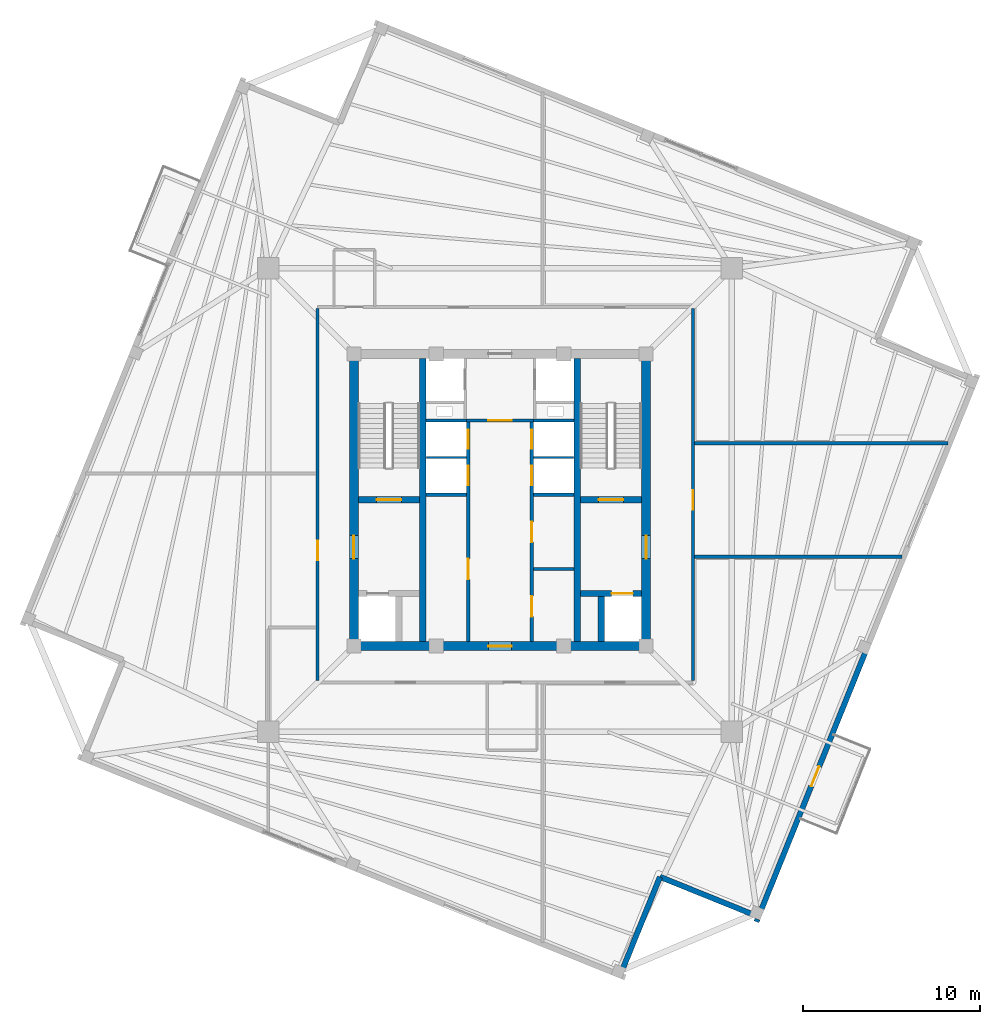
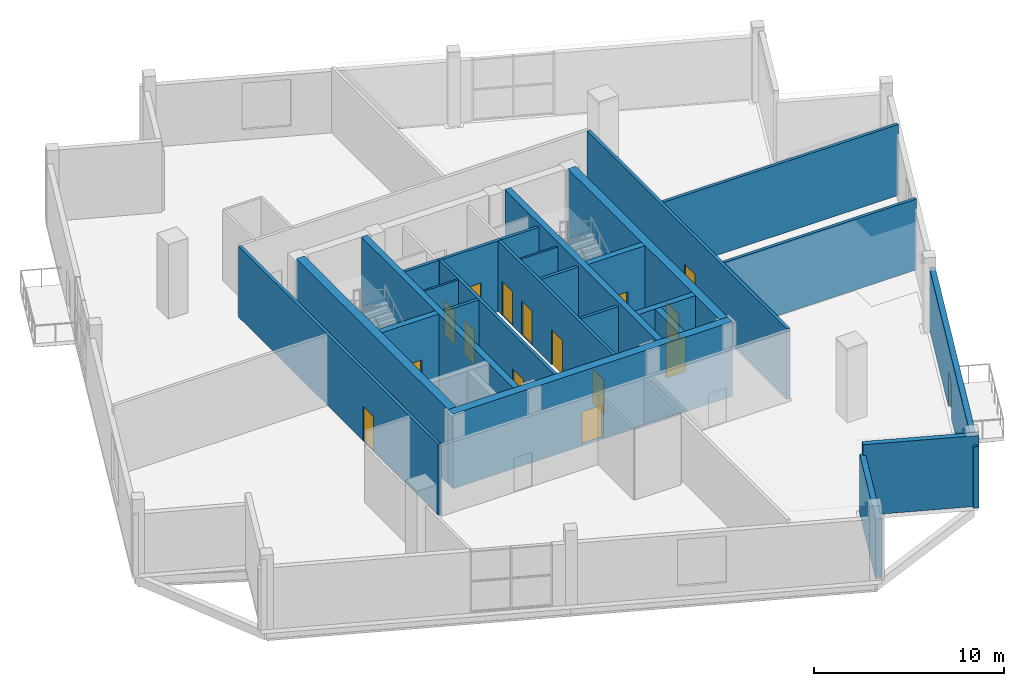
# One storey, part 8 of 12: 26 walls, 17 doors, 17 openings.
"""IFC4 building model written with IfcOpenShell, lengths in metres."""

from ifc_helpers import new_model, si_unit, direction, frame, frame_2d, origin, place, context, subcontext, project, spatial, rectangle, extrude, source, transform, mapped, material, layer, layer_set, type_object, element, fill, save


model = new_model("IFC4")

# Units and contexts
model_context = context("Model", 3, precision=1e-05, world=origin(), true_north=direction((0.0, 1.0)))
body_context = subcontext(model_context, "Body", "Model", "MODEL_VIEW")
ifc_project = project(units=[si_unit("LENGTHUNIT", "METRE"), si_unit("AREAUNIT", "SQUARE_METRE"), si_unit("VOLUMEUNIT", "CUBIC_METRE"), si_unit("PLANEANGLEUNIT", "RADIAN"), si_unit("MASSUNIT", "GRAM", prefix="KILO"), si_unit("THERMODYNAMICTEMPERATUREUNIT", "KELVIN")], contexts=[model_context])

# Site, building, storey
site_placement = place(None, origin())
site = spatial("IfcSite", under=ifc_project, at=site_placement, CompositionType="ELEMENT")
building_placement = place(site_placement, origin())
building = spatial("IfcBuilding", under=site, at=building_placement, Name="Kosmvard Interchange Tower", CompositionType="ELEMENT")
storey_placement = place(building_placement, frame((0.0, 0.0, 312.0)))
storey = spatial("IfcBuildingStorey", under=building, at=storey_placement, Name="L77", CompositionType="ELEMENT", Elevation=312.0)

# Wall, openings, doors
ifc_material_1 = material(Name="Fire-rated gypsum partition system")
ifc_layer_1 = layer(ifc_material_1, 0.179931640625, Name="Fire-rated gypsum partition system")
ifc_layer_set_1 = layer_set([ifc_layer_1], Name="Fire-rated gypsum partition system")
wall_type_1 = type_object("IfcWallType", Name="Corridor & Hotel Compartment Partition 180", PredefinedType="PARTITIONING", material=ifc_layer_set_1)
wall_1_placement = place(storey_placement, frame((-1.7900390625, -7.97998046875, 0.0), z_axis=(0.0, 0.0, 1.0), x_axis=(0.0, 1.0, 0.0)))
wall_1 = element("IfcWall", 1, at=wall_1_placement, inside=storey, type_object=wall_type_1, Name="L77 West Lift Bank Front Wall", PredefinedType="PARTITIONING", context=body_context, shape_type="SweptSolid", body=[
    extrude(rectangle(XDim=12.3798828125, YDim=0.179931640625, at=frame_2d((6.18994140625, 0.0))), origin(), (0.0, 0.0, 1.0), 4.550048828125),
])
opening_1_placement = place(wall_1_placement, frame((8.800048828125, 0.0, 0.0)))
opening_1 = element("IfcOpeningElement", 2, at=opening_1_placement, cuts=wall_1, Name="Opening LD-PL-H1-L77", PredefinedType="OPENING", context=body_context, shape_type="SweptSolid", body=[
    extrude(rectangle(XDim=1.10009765625, YDim=2.199951171875, at=frame_2d((0.550048828125, 1.10009765625))), frame((0.0, 0.10009765625, 0.0), z_axis=(0.0, -1.0, 0.0), x_axis=(1.0, 0.0, 0.0)), (0.0, 0.0, 1.0), 0.199951171875),
])
opening_2_placement = place(wall_1_placement, frame((10.860107421875, 0.0, 0.0)))
opening_2 = element("IfcOpeningElement", 3, at=opening_2_placement, cuts=wall_1, Name="Opening LD-PL-H2-L77", PredefinedType="OPENING", context=body_context, shape_type="SweptSolid", body=[
    extrude(rectangle(XDim=1.10009765625, YDim=2.199951171875, at=frame_2d((0.550048828125, 1.10009765625))), frame((0.0, 0.10009765625, 0.0), z_axis=(0.0, -1.0, 0.0), x_axis=(1.0, 0.0, 0.0)), (0.0, 0.0, 1.0), 0.199951171875),
])
opening_3_placement = place(wall_1_placement, frame((3.5, 0.0, 0.0)))
opening_3 = element("IfcOpeningElement", 4, at=opening_3_placement, cuts=wall_1, Name="Opening L77-CD1", PredefinedType="OPENING", context=body_context, shape_type="SweptSolid", body=[
    extrude(rectangle(XDim=1.14990234375, YDim=2.25, at=frame_2d((0.574951171875, 1.125))), frame((0.0, 0.10009765625, 0.0), z_axis=(0.0, -1.0, 0.0), x_axis=(1.0, 0.0, 0.0)), (0.0, 0.0, 1.0), 0.199951171875),
])
ifc_material_2 = material(Name="Painted fire-rated steel leaf", Category="steel")
door_type_1 = type_object("IfcDoorType", Name="Plant & Riser Fire Door 1150x2250 EI60", OperationType="NOTDEFINED", PredefinedType="DOOR", material=ifc_material_2)
shared_shape_1 = source(origin(), body_context, "Body", "SweptSolid", [
    extrude(rectangle(XDim=1.14990234375, YDim=2.25, at=frame_2d((0.574951171875, 1.125))), frame((0.0, 0.02490234375, 0.0), z_axis=(0.0, -1.0, 0.0), x_axis=(1.0, 0.0, 0.0)), (0.0, 0.0, 1.0), 0.050048828125),
])
door_1_placement = place(opening_3_placement, origin())
door_1 = element("IfcDoor", 5, at=door_1_placement, inside=storey, type_object=door_type_1, Name="L77 Core West Store Door", OperationType="SINGLE_SWING_LEFT", OverallHeight=2.25, OverallWidth=1.14990234375, PredefinedType="DOOR", context=body_context, shape_type="MappedRepresentation", body=[
    mapped(shared_shape_1, transform((0.0, 0.0, 0.0), scale=1.0)),
])
fill(opening_3, door_1)
ifc_material_3 = material(Name="Brushed stainless steel sliding leaf", Category="steel")
door_type_2 = type_object("IfcDoorType", Name="Passenger Lift Sliding Landing Door 1100x2200 EI60", OperationType="DOUBLE_DOOR_SLIDING", PredefinedType="DOOR", material=ifc_material_3)
shared_shape_2 = source(origin(), body_context, "Body", "SweptSolid", [
    extrude(rectangle(XDim=1.10009765625, YDim=2.199951171875, at=frame_2d((0.550048828125, 1.10009765625))), frame((0.0, 0.02490234375, 0.0), z_axis=(0.0, -1.0, 0.0), x_axis=(1.0, 0.0, 0.0)), (0.0, 0.0, 1.0), 0.050048828125),
])
door_2_placement = place(opening_1_placement, frame((1.10009765625, 0.0, 0.0), z_axis=(0.0, 0.0, 1.0), x_axis=(-1.0, 0.0, 0.0)))
door_2 = element("IfcDoor", 6, at=door_2_placement, inside=storey, type_object=door_type_2, Name="Lift PL-H1 Landing Door L77", OperationType="DOUBLE_DOOR_SLIDING", OverallHeight=2.199951171875, OverallWidth=1.10009765625, PredefinedType="DOOR", context=body_context, shape_type="MappedRepresentation", body=[
    mapped(shared_shape_2, transform((0.0, 0.0, 0.0), scale=1.0)),
])
fill(opening_1, door_2)
door_3_placement = place(opening_2_placement, frame((1.10009765625, 0.0, 0.0), z_axis=(0.0, 0.0, 1.0), x_axis=(-1.0, 0.0, 0.0)))
door_3 = element("IfcDoor", 7, at=door_3_placement, inside=storey, type_object=door_type_2, Name="Lift PL-H2 Landing Door L77", OperationType="DOUBLE_DOOR_SLIDING", OverallHeight=2.199951171875, OverallWidth=1.10009765625, PredefinedType="DOOR", context=body_context, shape_type="MappedRepresentation", body=[
    mapped(shared_shape_2, transform((0.0, 0.0, 0.0), scale=1.0)),
])
fill(opening_2, door_3)

wall_2_placement = place(storey_placement, frame((1.7900390625, -7.97998046875, 0.0), z_axis=(0.0, 0.0, 1.0), x_axis=(0.0, 1.0, 0.0)))
wall_2 = element("IfcWall", 8, at=wall_2_placement, inside=storey, type_object=wall_type_1, Name="L77 East Lift Bank Front Wall", PredefinedType="PARTITIONING", context=body_context, shape_type="SweptSolid", body=[
    extrude(rectangle(XDim=12.3798828125, YDim=0.179931640625, at=frame_2d((6.18994140625, 0.0))), origin(), (0.0, 0.0, 1.0), 4.550048828125),
])
opening_4_placement = place(wall_2_placement, frame((8.800048828125, 0.0, 0.0)))
opening_4 = element("IfcOpeningElement", 9, at=opening_4_placement, cuts=wall_2, Name="Opening LD-PL-H3-L77", PredefinedType="OPENING", context=body_context, shape_type="SweptSolid", body=[
    extrude(rectangle(XDim=1.10009765625, YDim=2.199951171875, at=frame_2d((0.550048828125, 1.10009765625))), frame((0.0, 0.10009765625, 0.0), z_axis=(0.0, -1.0, 0.0), x_axis=(1.0, 0.0, 0.0)), (0.0, 0.0, 1.0), 0.199951171875),
])
opening_5_placement = place(wall_2_placement, frame((10.860107421875, 0.0, 0.0)))
opening_5 = element("IfcOpeningElement", 10, at=opening_5_placement, cuts=wall_2, Name="Opening LD-PL-H4-L77", PredefinedType="OPENING", context=body_context, shape_type="SweptSolid", body=[
    extrude(rectangle(XDim=1.10009765625, YDim=2.199951171875, at=frame_2d((0.550048828125, 1.10009765625))), frame((0.0, 0.10009765625, 0.0), z_axis=(0.0, -1.0, 0.0), x_axis=(1.0, 0.0, 0.0)), (0.0, 0.0, 1.0), 0.199951171875),
])
opening_6_placement = place(wall_2_placement, frame((1.39990234375, 0.0, 0.0)))
opening_6 = element("IfcOpeningElement", 11, at=opening_6_placement, cuts=wall_2, Name="Opening L77-CD2", PredefinedType="OPENING", context=body_context, shape_type="SweptSolid", body=[
    extrude(rectangle(XDim=1.14990234375, YDim=2.25, at=frame_2d((0.574951171875, 1.125))), frame((0.0, 0.10009765625, 0.0), z_axis=(0.0, -1.0, 0.0), x_axis=(1.0, 0.0, 0.0)), (0.0, 0.0, 1.0), 0.199951171875),
])
opening_7_placement = place(wall_2_placement, frame((5.60009765625, 0.0, 0.0)))
opening_7 = element("IfcOpeningElement", 12, at=opening_7_placement, cuts=wall_2, Name="Opening L77-CD3", PredefinedType="OPENING", context=body_context, shape_type="SweptSolid", body=[
    extrude(rectangle(XDim=1.14990234375, YDim=2.25, at=frame_2d((0.574951171875, 1.125))), frame((0.0, 0.10009765625, 0.0), z_axis=(0.0, -1.0, 0.0), x_axis=(1.0, 0.0, 0.0)), (0.0, 0.0, 1.0), 0.199951171875),
])
door_4_placement = place(opening_6_placement, frame((1.14990234375, 0.0, 0.0), z_axis=(0.0, 0.0, 1.0), x_axis=(-1.0, 0.0, 0.0)))
door_4 = element("IfcDoor", 13, at=door_4_placement, inside=storey, type_object=door_type_1, Name="L77 Core Tea Pantry Door", OperationType="SINGLE_SWING_LEFT", OverallHeight=2.25, OverallWidth=1.14990234375, PredefinedType="DOOR", context=body_context, shape_type="MappedRepresentation", body=[
    mapped(shared_shape_1, transform((0.0, 0.0, 0.0), scale=1.0)),
])
fill(opening_6, door_4)
door_5_placement = place(opening_7_placement, frame((1.14990234375, 0.0, 0.0), z_axis=(0.0, 0.0, 1.0), x_axis=(-1.0, 0.0, 0.0)))
door_5 = element("IfcDoor", 14, at=door_5_placement, inside=storey, type_object=door_type_1, Name="L77 Mid Core Pantry Door", OperationType="SINGLE_SWING_RIGHT", OverallHeight=2.25, OverallWidth=1.14990234375, PredefinedType="DOOR", context=body_context, shape_type="MappedRepresentation", body=[
    mapped(shared_shape_1, transform((0.0, 0.0, 0.0), scale=1.0)),
])
fill(opening_7, door_5)
door_6_placement = place(opening_4_placement, origin())
door_6 = element("IfcDoor", 15, at=door_6_placement, inside=storey, type_object=door_type_2, Name="Lift PL-H3 Landing Door L77", OperationType="DOUBLE_DOOR_SLIDING", OverallHeight=2.199951171875, OverallWidth=1.10009765625, PredefinedType="DOOR", context=body_context, shape_type="MappedRepresentation", body=[
    mapped(shared_shape_2, transform((0.0, 0.0, 0.0), scale=1.0)),
])
fill(opening_4, door_6)
door_7_placement = place(opening_5_placement, origin())
door_7 = element("IfcDoor", 16, at=door_7_placement, inside=storey, type_object=door_type_2, Name="Lift PL-H4 Landing Door L77", OperationType="DOUBLE_DOOR_SLIDING", OverallHeight=2.199951171875, OverallWidth=1.10009765625, PredefinedType="DOOR", context=body_context, shape_type="MappedRepresentation", body=[
    mapped(shared_shape_2, transform((0.0, 0.0, 0.0), scale=1.0)),
])
fill(opening_5, door_7)

# Wall, opening, door
wall_3_placement = place(storey_placement, frame((-1.8798828125, 4.489990234375, 0.0), z_axis=(0.0, 0.0, 1.0), x_axis=(1.0, 0.0, 0.0)))
wall_3 = element("IfcWall", 17, at=wall_3_placement, inside=storey, type_object=wall_type_1, Name="L77 Lift Lobby North Partition", PredefinedType="PARTITIONING", context=body_context, shape_type="SweptSolid", body=[
    extrude(rectangle(XDim=3.759765625, YDim=0.179931640625, at=frame_2d((1.8798828125, 0.0))), origin(), (0.0, 0.0, 1.0), 4.550048828125),
])
opening_8_placement = place(wall_3_placement, frame((1.22998046875, 0.0, 0.0)))
opening_8 = element("IfcOpeningElement", 18, at=opening_8_placement, cuts=wall_3, Name="Opening L77-OD1", PredefinedType="OPENING", context=body_context, shape_type="SweptSolid", body=[
    extrude(rectangle(XDim=1.300048828125, YDim=2.199951171875, at=frame_2d((0.64990234375, 1.10009765625))), frame((0.0, 0.10009765625, 0.0), z_axis=(0.0, -1.0, 0.0), x_axis=(1.0, 0.0, 0.0)), (0.0, 0.0, 1.0), 0.199951171875),
])
door_type_3 = type_object("IfcDoorType", Name="Firefighting Lobby Door 1300x2200 EI60", OperationType="NOTDEFINED", PredefinedType="DOOR", material=ifc_material_2)
shared_shape_3 = source(origin(), body_context, "Body", "SweptSolid", [
    extrude(rectangle(XDim=1.300048828125, YDim=2.199951171875, at=frame_2d((0.64990234375, 1.10009765625))), frame((0.0, 0.02490234375, 0.0), z_axis=(0.0, -1.0, 0.0), x_axis=(1.0, 0.0, 0.0)), (0.0, 0.0, 1.0), 0.050048828125),
])
door_8_placement = place(opening_8_placement, origin())
door_8 = element("IfcDoor", 19, at=door_8_placement, inside=storey, type_object=door_type_3, Name="L77 Shuttle Lobby South Door", OperationType="SINGLE_SWING_LEFT", OverallHeight=2.199951171875, OverallWidth=1.300048828125, PredefinedType="DOOR", context=body_context, shape_type="MappedRepresentation", body=[
    mapped(shared_shape_3, transform((0.0, 0.0, 0.0), scale=1.0)),
])
fill(opening_8, door_8)

wall_4_placement = place(storey_placement, frame((-10.300048828125, -10.199951171875, 0.0), z_axis=(0.0, 0.0, 1.0), x_axis=(0.0, 1.0, 0.0)))
wall_4 = element("IfcWall", 20, at=wall_4_placement, inside=storey, type_object=wall_type_1, Name="L77 Corridor Wall CW", PredefinedType="PARTITIONING", context=body_context, shape_type="SweptSolid", body=[
    extrude(rectangle(XDim=21.0, YDim=0.179931640625, at=frame_2d((10.5, 0.0))), origin(), (0.0, 0.0, 1.0), 4.550048828125),
])
opening_9_placement = place(wall_4_placement, frame((6.800048828125, 0.0, 0.0)))
opening_9 = element("IfcOpeningElement", 21, at=opening_9_placement, cuts=wall_4, Name="Opening L77-D08", PredefinedType="OPENING", context=body_context, shape_type="SweptSolid", body=[
    extrude(rectangle(XDim=1.10009765625, YDim=2.199951171875, at=frame_2d((0.550048828125, 1.10009765625))), frame((0.0, 0.10009765625, 0.0), z_axis=(0.0, -1.0, 0.0), x_axis=(1.0, 0.0, 0.0)), (0.0, 0.0, 1.0), 0.199951171875),
])
ifc_material_4 = material(Name="Engineered oak fire-rated timber", Category="wood")
door_type_4 = type_object("IfcDoorType", Name="Office Suite Entrance Door 1100x2200 FD30S", OperationType="NOTDEFINED", PredefinedType="DOOR", material=ifc_material_4)
door_9_placement = place(opening_9_placement, origin())
door_9 = element("IfcDoor", 22, at=door_9_placement, inside=storey, type_object=door_type_4, Name="L77 Sky Horizon Cafe and Bistro Door", OperationType="SINGLE_SWING_RIGHT", OverallHeight=2.199951171875, OverallWidth=1.10009765625, PredefinedType="DOOR", context=body_context, shape_type="MappedRepresentation", body=[
    mapped(shared_shape_2, transform((0.0, 0.0, 0.0), scale=1.0)),
])
fill(opening_9, door_9)

wall_5_placement = place(storey_placement, frame((10.89990234375, -10.199951171875, 0.0), z_axis=(0.0, 0.0, 1.0), x_axis=(0.0, 1.0, 0.0)))
wall_5 = element("IfcWall", 23, at=wall_5_placement, inside=storey, type_object=wall_type_1, Name="L77 Corridor Wall CE", PredefinedType="PARTITIONING", context=body_context, shape_type="SweptSolid", body=[
    extrude(rectangle(XDim=21.0, YDim=0.179931640625, at=frame_2d((10.5, 0.0))), origin(), (0.0, 0.0, 1.0), 4.550048828125),
])
opening_10_placement = place(wall_5_placement, frame((9.64990234375, 0.0, 0.0)))
opening_10 = element("IfcOpeningElement", 24, at=opening_10_placement, cuts=wall_5, Name="Opening L77-D05", PredefinedType="OPENING", context=body_context, shape_type="SweptSolid", body=[
    extrude(rectangle(XDim=1.10009765625, YDim=2.199951171875, at=frame_2d((0.550048828125, 1.10009765625))), frame((0.0, 0.10009765625, 0.0), z_axis=(0.0, -1.0, 0.0), x_axis=(1.0, 0.0, 0.0)), (0.0, 0.0, 1.0), 0.199951171875),
])
door_10_placement = place(opening_10_placement, frame((1.10009765625, 0.0, 0.0), z_axis=(0.0, 0.0, 1.0), x_axis=(-1.0, 0.0, 0.0)))
door_10 = element("IfcDoor", 25, at=door_10_placement, inside=storey, type_object=door_type_4, Name="L77 Cafe Catering Servery Pantry Door", OperationType="SINGLE_SWING_LEFT", OverallHeight=2.199951171875, OverallWidth=1.10009765625, PredefinedType="DOOR", context=body_context, shape_type="MappedRepresentation", body=[
    mapped(shared_shape_2, transform((0.0, 0.0, 0.0), scale=1.0)),
])
fill(opening_10, door_10)

# Walls
wall_6_placement = place(storey_placement, frame((10.9951171875, 3.199951171875, 0.0), z_axis=(0.0, 0.0, 1.0), x_axis=(1.0, 0.0, 0.0)))
element("IfcWall", 26, at=wall_6_placement, inside=storey, type_object=wall_type_1, Name="L77 Room Partition 02.1", PredefinedType="PARTITIONING", context=body_context, shape_type="SweptSolid", body=[
    extrude(rectangle(XDim=14.300537109375, YDim=0.179931640625, at=frame_2d((7.150390625, 0.0))), origin(), (0.0, 0.0, 1.0), 4.550048828125),
])
wall_7_placement = place(storey_placement, frame((10.9951171875, -3.199951171875, 0.0), z_axis=(0.0, 0.0, 1.0), x_axis=(1.0, 0.0, 0.0)))
element("IfcWall", 27, at=wall_7_placement, inside=storey, type_object=wall_type_1, Name="L77 Room Partition 03.1", PredefinedType="PARTITIONING", context=body_context, shape_type="SweptSolid", body=[
    extrude(rectangle(XDim=11.71484375, YDim=0.179931640625, at=frame_2d((5.857421875, 0.0))), origin(), (0.0, 0.0, 1.0), 4.550048828125),
])
ifc_material_5 = material(Name="Concrete blockwork masonry", Category="masonry")
ifc_layer_2 = layer(ifc_material_5, 0.179931640625, Name="Concrete blockwork masonry")
ifc_layer_set_2 = layer_set([ifc_layer_2], Name="Concrete blockwork masonry")
wall_type_2 = type_object("IfcWallType", Name="Riser & Lift Bank Divider Wall 180", PredefinedType="PARTITIONING", material=ifc_layer_set_2)
for number, where, z_axis, x_axis, name in (
    (28, (1.889892578125, -3.89990234375, 0.0), (0.0, 0.0, 1.0), (1.0, 0.0, 0.0), "L77 East Bank Divider BD1"),
    (29, (-4.169921875, 0.300048828125, 0.0), (0.0, 0.0, 1.0), (1.0, 0.0, 0.0), "L77 West Bank Divider BD2"),
    (30, (1.889892578125, 0.300048828125, 0.0), (0.0, 0.0, 1.0), (1.0, 0.0, 0.0), "L77 East Bank Divider BD2"),
    (31, (-4.169921875, 4.489990234375, 0.0), (0.0, 0.0, 1.0), (1.0, 0.0, 0.0), "L77 West Bank Divider BD3"),
    (32, (1.889892578125, 4.489990234375, 0.0), (0.0, 0.0, 1.0), (1.0, 0.0, 0.0), "L77 East Bank Divider BD3"),
):
    element("IfcWall", number, at=place(storey_placement, frame(where, z_axis=z_axis, x_axis=x_axis)), inside=storey, type_object=wall_type_2, Name=name, PredefinedType="PARTITIONING", context=body_context, shape_type="SweptSolid", body=[
        extrude(rectangle(XDim=2.280029296875, YDim=0.179931640625, at=frame_2d((1.14013671875, 0.0))), origin(), (0.0, 0.0, 1.0), 4.550048828125),
    ])
ifc_material_6 = material(Name="Fire-rated gypsum shaftwall system")
ifc_layer_3 = layer(ifc_material_6, 0.1201171875, Name="Fire-rated gypsum shaftwall system")
ifc_layer_set_3 = layer_set([ifc_layer_3], Name="Fire-rated gypsum shaftwall system")
wall_type_3 = type_object("IfcWallType", Name="Shaft & Riser Fire Partition 120 EI60", PredefinedType="PARTITIONING", material=ifc_layer_set_3)
for number, where, z_axis, x_axis, name in (
    (33, (-4.159912109375, 2.39990234375, 0.0), (0.0, 0.0, 1.0), (1.0, 0.0, 0.0), "L77 Shaft Divider PL-H1"),
    (34, (1.89990234375, 2.39990234375, 0.0), (0.0, 0.0, 1.0), (1.0, 0.0, 0.0), "L77 Shaft Divider PL-H3"),
):
    element("IfcWall", number, at=place(storey_placement, frame(where, z_axis=z_axis, x_axis=x_axis)), inside=storey, type_object=wall_type_3, Name=name, PredefinedType="PARTITIONING", context=body_context, shape_type="SweptSolid", body=[
        extrude(rectangle(XDim=2.260009765625, YDim=0.1201171875, at=frame_2d((1.1298828125, 0.0))), origin(), (0.0, 0.0, 1.0), 4.550048828125),
    ])
ifc_material_7 = material(Name="Concrete C60/75", Category="concrete")
ifc_layer_4 = layer(ifc_material_7, 0.360107421875, Name="Concrete C60/75")
ifc_layer_set_4 = layer_set([ifc_layer_4], Name="Concrete C60/75")
wall_type_4 = type_object("IfcWallType", Name="Stair & Lift Shaft Shear Wall 360 C60/75", PredefinedType="SHEAR", material=ifc_layer_set_4)
for number, where, z_axis, x_axis, name in (
    (35, (-4.360107421875, -8.0, 0.0), (0.0, 0.0, 1.0), (0.0, 1.0, 0.0), "L77 Shaft Shear Wall SW-W"),
    (36, (4.360107421875, -8.0, 0.0), (0.0, 0.0, 1.0), (0.0, 1.0, 0.0), "L77 Shaft Shear Wall SW-E"),
):
    element("IfcWall", number, at=place(storey_placement, frame(where, z_axis=z_axis, x_axis=x_axis)), inside=storey, type_object=wall_type_4, Name=name, PredefinedType="SHEAR", context=body_context, shape_type="SweptSolid", body=[
        extrude(rectangle(XDim=16.0, YDim=0.360107421875, at=frame_2d((8.0, 0.0))), origin(), (0.0, 0.0, 1.0), 4.800048828125),
    ])

# Wall, opening, door
wall_8_placement = place(storey_placement, frame((-8.0, 0.02001953125, 0.0), z_axis=(0.0, 0.0, 1.0), x_axis=(1.0, 0.0, 0.0)))
wall_8 = element("IfcWall", 37, at=wall_8_placement, inside=storey, type_object=wall_type_4, Name="L77 Shaft Shear Wall SW-ST1", PredefinedType="SHEAR", context=body_context, shape_type="SweptSolid", body=[
    extrude(rectangle(XDim=3.4599609375, YDim=0.360107421875, at=frame_2d((1.72998046875, 0.0))), origin(), (0.0, 0.0, 1.0), 4.800048828125),
])
opening_11_placement = place(wall_8_placement, frame((1.030029296875, 0.0, 0.0)))
opening_11 = element("IfcOpeningElement", 38, at=opening_11_placement, cuts=wall_8, Name="Opening L77-SD1", PredefinedType="OPENING", context=body_context, shape_type="SweptSolid", body=[
    extrude(rectangle(XDim=1.39990234375, YDim=2.199951171875, at=frame_2d((0.699951171875, 1.10009765625))), frame((0.0, 0.18994140625, 0.0), z_axis=(0.0, -1.0, 0.0), x_axis=(1.0, 0.0, 0.0)), (0.0, 0.0, 1.0), 0.380126953125),
])
door_type_5 = type_object("IfcDoorType", Name="Protected Stair Door 1400x2200 FD60S", OperationType="NOTDEFINED", PredefinedType="DOOR", material=ifc_material_2)
shared_shape_4 = source(origin(), body_context, "Body", "SweptSolid", [
    extrude(rectangle(XDim=1.39990234375, YDim=2.199951171875, at=frame_2d((0.699951171875, 1.10009765625))), frame((0.0, 0.02490234375, 0.0), z_axis=(0.0, -1.0, 0.0), x_axis=(1.0, 0.0, 0.0)), (0.0, 0.0, 1.0), 0.050048828125),
])
door_11_placement = place(opening_11_placement, origin())
door_11 = element("IfcDoor", 39, at=door_11_placement, inside=storey, type_object=door_type_5, Name="L77 Stair ST-1 Enclosure Door", OperationType="SINGLE_SWING_LEFT", OverallHeight=2.199951171875, OverallWidth=1.39990234375, PredefinedType="DOOR", context=body_context, shape_type="MappedRepresentation", body=[
    mapped(shared_shape_4, transform((0.0, 0.0, 0.0), scale=1.0)),
])
fill(opening_11, door_11)

wall_9_placement = place(storey_placement, frame((4.5400390625, 0.02001953125, 0.0), z_axis=(0.0, 0.0, 1.0), x_axis=(1.0, 0.0, 0.0)))
wall_9 = element("IfcWall", 40, at=wall_9_placement, inside=storey, type_object=wall_type_4, Name="L77 Shaft Shear Wall SW-ST2", PredefinedType="SHEAR", context=body_context, shape_type="SweptSolid", body=[
    extrude(rectangle(XDim=3.4599609375, YDim=0.360107421875, at=frame_2d((1.72998046875, 0.0))), origin(), (0.0, 0.0, 1.0), 4.800048828125),
])
opening_12_placement = place(wall_9_placement, frame((1.030029296875, 0.0, 0.0)))
opening_12 = element("IfcOpeningElement", 41, at=opening_12_placement, cuts=wall_9, Name="Opening L77-SD2", PredefinedType="OPENING", context=body_context, shape_type="SweptSolid", body=[
    extrude(rectangle(XDim=1.39990234375, YDim=2.199951171875, at=frame_2d((0.699951171875, 1.10009765625))), frame((0.0, 0.18994140625, 0.0), z_axis=(0.0, -1.0, 0.0), x_axis=(1.0, 0.0, 0.0)), (0.0, 0.0, 1.0), 0.380126953125),
])
door_12_placement = place(opening_12_placement, origin())
door_12 = element("IfcDoor", 42, at=door_12_placement, inside=storey, type_object=door_type_5, Name="L77 Stair ST-2 Enclosure Door", OperationType="SINGLE_SWING_RIGHT", OverallHeight=2.199951171875, OverallWidth=1.39990234375, PredefinedType="DOOR", context=body_context, shape_type="MappedRepresentation", body=[
    mapped(shared_shape_4, transform((0.0, 0.0, 0.0), scale=1.0)),
])
fill(opening_12, door_12)

wall_10_placement = place(storey_placement, frame((4.5400390625, -5.280029296875, 0.0), z_axis=(0.0, 0.0, 1.0), x_axis=(1.0, 0.0, 0.0)))
wall_10 = element("IfcWall", 43, at=wall_10_placement, inside=storey, type_object=wall_type_4, Name="L77 Shaft Shear Wall SW-FF2", PredefinedType="SHEAR", context=body_context, shape_type="SweptSolid", body=[
    extrude(rectangle(XDim=3.4599609375, YDim=0.360107421875, at=frame_2d((1.72998046875, 0.0))), origin(), (0.0, 0.0, 1.0), 4.800048828125),
])
opening_13_placement = place(wall_10_placement, frame((1.760009765625, 0.0, 0.0)))
opening_13 = element("IfcOpeningElement", 44, at=opening_13_placement, cuts=wall_10, Name="Opening LD-FF-2-L77", PredefinedType="OPENING", context=body_context, shape_type="SweptSolid", body=[
    extrude(rectangle(XDim=1.199951171875, YDim=2.25, at=frame_2d((0.60009765625, 1.125))), frame((0.0, 0.18994140625, 0.0), z_axis=(0.0, -1.0, 0.0), x_axis=(1.0, 0.0, 0.0)), (0.0, 0.0, 1.0), 0.380126953125),
])
door_type_6 = type_object("IfcDoorType", Name="Firefighting Lift Sliding Landing Door 1200x2250 EI120", OperationType="DOUBLE_DOOR_SLIDING", PredefinedType="DOOR", material=ifc_material_3)
shared_shape_5 = source(origin(), body_context, "Body", "SweptSolid", [
    extrude(rectangle(XDim=1.199951171875, YDim=2.25, at=frame_2d((0.60009765625, 1.125))), frame((0.0, 0.02490234375, 0.0), z_axis=(0.0, -1.0, 0.0), x_axis=(1.0, 0.0, 0.0)), (0.0, 0.0, 1.0), 0.050048828125),
])
door_13_placement = place(opening_13_placement, origin())
door_13 = element("IfcDoor", 45, at=door_13_placement, inside=storey, type_object=door_type_6, Name="Lift FF-2 Landing Door L77", OperationType="DOUBLE_DOOR_SLIDING", OverallHeight=2.25, OverallWidth=1.199951171875, PredefinedType="DOOR", context=body_context, shape_type="MappedRepresentation", body=[
    mapped(shared_shape_5, transform((0.0, 0.0, 0.0), scale=1.0)),
])
fill(opening_13, door_13)

# Wall
wall_11_placement = place(storey_placement, frame((5.7099609375, -8.0, 0.0), z_axis=(0.0, 0.0, 1.0), x_axis=(0.0, 1.0, 0.0)))
element("IfcWall", 46, at=wall_11_placement, inside=storey, type_object=wall_type_4, Name="L77 Shaft Shear Wall SW-SM2", PredefinedType="SHEAR", context=body_context, shape_type="SweptSolid", body=[
    extrude(rectangle(XDim=2.5400390625, YDim=0.360107421875, at=frame_2d((1.27001953125, 0.0))), origin(), (0.0, 0.0, 1.0), 4.800048828125),
])

# Wall, opening, door
ifc_layer_5 = layer(ifc_material_7, 0.5, Name="Concrete C60/75")
ifc_layer_set_5 = layer_set([ifc_layer_5], Name="Concrete C60/75")
wall_type_5 = type_object("IfcWallType", Name="Upper Core Shear Wall 500 C60/75", PredefinedType="SHEAR", material=ifc_layer_set_5)
wall_12_placement = place(storey_placement, frame((-8.5, -8.25, 0.0), z_axis=(0.0, 0.0, 1.0), x_axis=(1.0, 0.0, 0.0)))
wall_12 = element("IfcWall", 47, at=wall_12_placement, inside=storey, type_object=wall_type_5, Name="L77 Core Shear Wall CW-S", PredefinedType="SHEAR", context=body_context, shape_type="SweptSolid", body=[
    extrude(rectangle(XDim=17.0, YDim=0.5, at=frame_2d((8.5, 0.0))), origin(), (0.0, 0.0, 1.0), 4.800048828125),
])
opening_14_placement = place(wall_12_placement, frame((7.85009765625, 0.0, 0.0)))
opening_14 = element("IfcOpeningElement", 48, at=opening_14_placement, cuts=wall_12, Name="Opening L77-LD0", PredefinedType="OPENING", context=body_context, shape_type="SweptSolid", body=[
    extrude(rectangle(XDim=1.300048828125, YDim=2.199951171875, at=frame_2d((0.64990234375, 1.10009765625))), frame((0.0, 0.260009765625, 0.0), z_axis=(0.0, -1.0, 0.0), x_axis=(1.0, 0.0, 0.0)), (0.0, 0.0, 1.0), 0.52001953125),
])
door_14_placement = place(opening_14_placement, frame((1.300048828125, 0.0, 0.0), z_axis=(0.0, 0.0, 1.0), x_axis=(-1.0, 0.0, 0.0)))
door_14 = element("IfcDoor", 49, at=door_14_placement, inside=storey, type_object=door_type_3, Name="L77 Passenger Lift Lobby South Door", OperationType="SINGLE_SWING_RIGHT", OverallHeight=2.199951171875, OverallWidth=1.300048828125, PredefinedType="DOOR", context=body_context, shape_type="MappedRepresentation", body=[
    mapped(shared_shape_3, transform((0.0, 0.0, 0.0), scale=1.0)),
])
fill(opening_14, door_14)

wall_13_placement = place(storey_placement, frame((-8.25, -8.0, 0.0), z_axis=(0.0, 0.0, 1.0), x_axis=(0.0, 1.0, 0.0)))
wall_13 = element("IfcWall", 50, at=wall_13_placement, inside=storey, type_object=wall_type_5, Name="L77 Core Shear Wall CW-W", PredefinedType="SHEAR", context=body_context, shape_type="SweptSolid", body=[
    extrude(rectangle(XDim=16.0, YDim=0.5, at=frame_2d((8.0, 0.0))), origin(), (0.0, 0.0, 1.0), 4.800048828125),
])
opening_15_placement = place(wall_13_placement, frame((4.68994140625, 0.0, 0.0)))
opening_15 = element("IfcOpeningElement", 51, at=opening_15_placement, cuts=wall_13, Name="Opening L77-FD1", PredefinedType="OPENING", context=body_context, shape_type="SweptSolid", body=[
    extrude(rectangle(XDim=1.300048828125, YDim=2.199951171875, at=frame_2d((0.64990234375, 1.10009765625))), frame((0.0, 0.260009765625, 0.0), z_axis=(0.0, -1.0, 0.0), x_axis=(1.0, 0.0, 0.0)), (0.0, 0.0, 1.0), 0.52001953125),
])
door_15_placement = place(opening_15_placement, frame((1.300048828125, 0.0, 0.0), z_axis=(0.0, 0.0, 1.0), x_axis=(-1.0, 0.0, 0.0)))
door_15 = element("IfcDoor", 52, at=door_15_placement, inside=storey, type_object=door_type_3, Name="L77 Firefighting Lobby West Door", OperationType="SINGLE_SWING_LEFT", OverallHeight=2.199951171875, OverallWidth=1.300048828125, PredefinedType="DOOR", context=body_context, shape_type="MappedRepresentation", body=[
    mapped(shared_shape_3, transform((0.0, 0.0, 0.0), scale=1.0)),
])
fill(opening_15, door_15)

wall_14_placement = place(storey_placement, frame((8.25, -8.0, 0.0), z_axis=(0.0, 0.0, 1.0), x_axis=(0.0, 1.0, 0.0)))
wall_14 = element("IfcWall", 53, at=wall_14_placement, inside=storey, type_object=wall_type_5, Name="L77 Core Shear Wall CW-E", PredefinedType="SHEAR", context=body_context, shape_type="SweptSolid", body=[
    extrude(rectangle(XDim=16.0, YDim=0.5, at=frame_2d((8.0, 0.0))), origin(), (0.0, 0.0, 1.0), 4.800048828125),
])
opening_16_placement = place(wall_14_placement, frame((4.68994140625, 0.0, 0.0)))
opening_16 = element("IfcOpeningElement", 54, at=opening_16_placement, cuts=wall_14, Name="Opening L77-FD2", PredefinedType="OPENING", context=body_context, shape_type="SweptSolid", body=[
    extrude(rectangle(XDim=1.300048828125, YDim=2.199951171875, at=frame_2d((0.64990234375, 1.10009765625))), frame((0.0, 0.260009765625, 0.0), z_axis=(0.0, -1.0, 0.0), x_axis=(1.0, 0.0, 0.0)), (0.0, 0.0, 1.0), 0.52001953125),
])
door_16_placement = place(opening_16_placement, origin())
door_16 = element("IfcDoor", 55, at=door_16_placement, inside=storey, type_object=door_type_3, Name="L77 Firefighting Lobby East Door", OperationType="SINGLE_SWING_RIGHT", OverallHeight=2.199951171875, OverallWidth=1.300048828125, PredefinedType="DOOR", context=body_context, shape_type="MappedRepresentation", body=[
    mapped(shared_shape_3, transform((0.0, 0.0, 0.0), scale=1.0)),
])
fill(opening_16, door_16)

# Walls
ifc_material_8 = material(Name="Precast concrete C45/55", Category="concrete")
ifc_layer_6 = layer(ifc_material_8, 0.31005859375, Name="Precast concrete C45/55")
ifc_layer_set_6 = layer_set([ifc_layer_6], Name="Precast concrete C45/55")
wall_type_6 = type_object("IfcWallType", Name="Upper Tower Precast Pier Wall 310 C45/55", PredefinedType="STANDARD", material=ifc_layer_set_6)
wall_15_placement = place(storey_placement, frame((6.7841796875, -26.8408203125, 0.0), z_axis=(0.0, 0.0, 1.0), x_axis=(0.374636620962, 0.927171722085, 0.0)))
element("IfcWall", 56, at=wall_15_placement, inside=storey, type_object=wall_type_6, Name="L77 Corner Precast Pier N-SW1", PredefinedType="STANDARD", context=body_context, shape_type="SweptSolid", body=[
    extrude(rectangle(XDim=6.0, YDim=0.31005859375, at=frame_2d((3.0, 0.0))), origin(), (0.0, 0.0, 1.0), 3.85009765625),
])
wall_16_placement = place(storey_placement, frame((9.031982421875, -21.27783203125, 0.0), z_axis=(0.0, 0.0, 1.0), x_axis=(0.927185411764, -0.374602739196, 0.0)))
element("IfcWall", 57, at=wall_16_placement, inside=storey, type_object=wall_type_6, Name="L77 Corner Precast Pier N-SW2", PredefinedType="STANDARD", context=body_context, shape_type="SweptSolid", body=[
    extrude(rectangle(XDim=6.155029296875, YDim=0.31005859375, at=frame_2d((3.07763671875, 0.0))), origin(), (0.0, 0.0, 1.0), 4.550048828125),
])

# Wall, opening, door
wall_17_placement = place(storey_placement, frame((14.478759765625, -23.812744140625, 0.0), z_axis=(0.0, 0.0, 1.0), x_axis=(0.374618403537, 0.927179082881, 0.0)))
wall_17 = element("IfcWall", 58, at=wall_17_placement, inside=storey, type_object=wall_type_6, Name="L77 Facade Pier Wall SA", PredefinedType="STANDARD", context=body_context, shape_type="SweptSolid", body=[
    extrude(rectangle(XDim=16.655029296875, YDim=0.31005859375, at=frame_2d((8.32763671875, 0.0))), origin(), (0.0, 0.0, 1.0), 3.949951171875),
])
opening_17_placement = place(wall_17_placement, frame((8.2548828125, 0.0, 0.0)))
opening_17 = element("IfcOpeningElement", 59, at=opening_17_placement, cuts=wall_17, Name="Opening L77-TDS", PredefinedType="OPENING", context=body_context, shape_type="SweptSolid", body=[
    extrude(rectangle(XDim=1.199951171875, YDim=2.300048828125, at=frame_2d((0.60009765625, 1.14990234375))), frame((0.0, 0.1650390625, 0.0), z_axis=(0.0, -1.0, 0.0), x_axis=(1.0, 0.0, 0.0)), (0.0, 0.0, 1.0), 0.330078125),
])
ifc_material_9 = material(Name="Anodised aluminium and safety glass", Category="aluminium")
door_type_7 = type_object("IfcDoorType", Name="Cascade Terrace Glazed Door 1200x2300", OperationType="NOTDEFINED", PredefinedType="DOOR", material=ifc_material_9)
shared_shape_6 = source(origin(), body_context, "Body", "SweptSolid", [
    extrude(rectangle(XDim=1.199951171875, YDim=2.300048828125, at=frame_2d((0.60009765625, 1.14990234375))), frame((0.0, 0.02490234375, 0.0), z_axis=(0.0, -1.0, 0.0), x_axis=(1.0, 0.0, 0.0)), (0.0, 0.0, 1.0), 0.050048828125),
])
door_17_placement = place(opening_17_placement, origin())
door_17 = element("IfcDoor", 60, at=door_17_placement, inside=storey, type_object=door_type_7, Name="L77 Terrace Access Door OBD-L77-S", OperationType="SINGLE_SWING_LEFT", OverallHeight=2.300048828125, OverallWidth=1.199951171875, PredefinedType="DOOR", context=body_context, shape_type="MappedRepresentation", body=[
    mapped(shared_shape_6, transform((0.0, 0.0, 0.0), scale=1.0)),
])
fill(opening_17, door_17)

save(model, "model.ifc")
